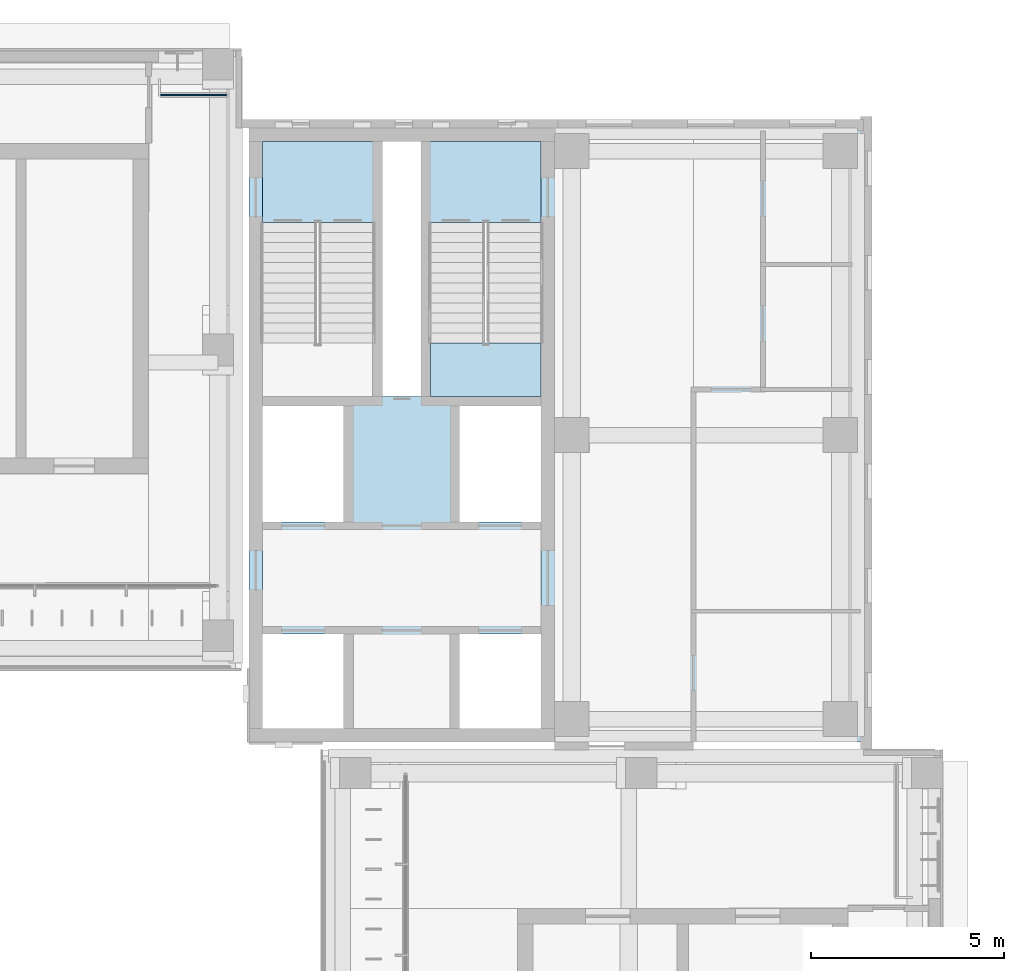
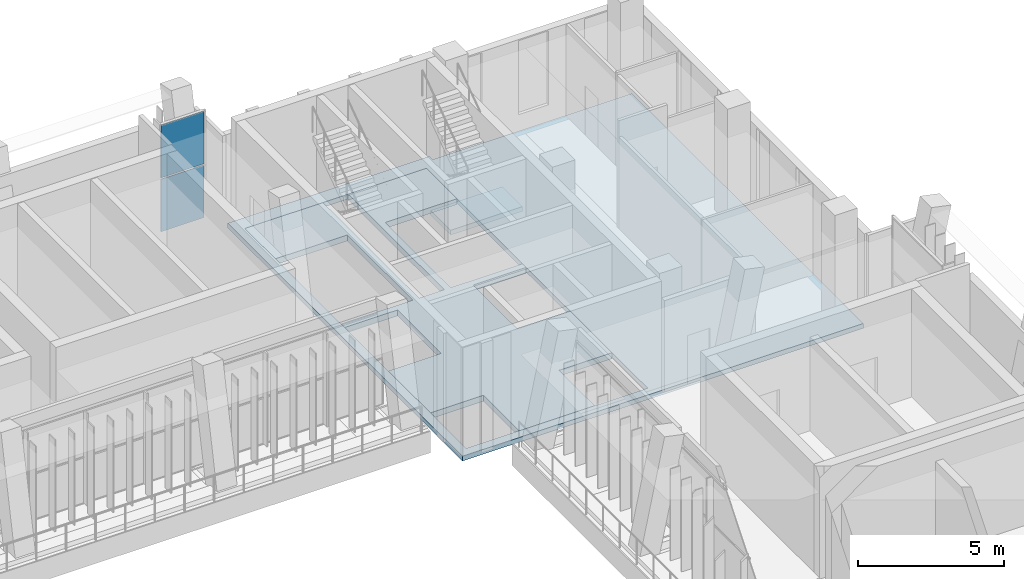
# One storey, part 94 of 141: 3 slabs, 2 plates, 2 elements without a shape of their own.
"""IFC4 building model written with IfcOpenShell, lengths in metres."""

from ifc_helpers import new_model, si_unit, direction, frame, origin, origin_2d, place, context, subcontext, project, spatial, polyline, rectangle, outline, extrude, material, layer, layer_set, type_object, element, aggregate, save


model = new_model("IFC4")

# Units and contexts
model_context = context("Model", 3, precision=1e-05, world=origin(), true_north=direction((0.0, 1.0)))
body_context = subcontext(model_context, "Body", "Model", "MODEL_VIEW")
ifc_project = project(units=[si_unit("LENGTHUNIT", "METRE"), si_unit("AREAUNIT", "SQUARE_METRE"), si_unit("VOLUMEUNIT", "CUBIC_METRE"), si_unit("PLANEANGLEUNIT", "RADIAN"), si_unit("MASSUNIT", "GRAM", prefix="KILO")], contexts=[model_context])

# Site, building, storey
site_placement = place(None, origin())
site = spatial("IfcSite", under=ifc_project, at=site_placement, CompositionType="ELEMENT")
building_placement = place(site_placement, origin())
building = spatial("IfcBuilding", under=site, at=building_placement, Name="Lantern Court Media Centre", CompositionType="ELEMENT")
storey_placement = place(building_placement, frame((0.0, 0.0, 9.60009765625)))
storey = spatial("IfcBuildingStorey", under=building, at=storey_placement, Name="L02", CompositionType="ELEMENT", Elevation=9.60009765625)

# Slab
ifc_material_1 = material(Name="Concrete C40", Category="concrete")
ifc_layer_1 = layer(ifc_material_1, 0.25)
ifc_layer_set_1 = layer_set([ifc_layer_1], Name="Concrete C40")
slab_type_1 = type_object("IfcSlabType", Name="Core floor slab 250", PredefinedType="FLOOR", material=ifc_layer_set_1)
slab_1_placement = place(storey_placement, frame((0.0, 0.0, -0.25)))
element("IfcSlab", 1, at=slab_1_placement, inside=storey, type_object=slab_type_1, Name="L02 NE core floor", PredefinedType="FLOOR", context=body_context, shape_type="SweptSolid", body=[
    extrude(outline(polyline([(87.64990234375, 101.800048828125), (87.64990234375, 98.89990234375), (85.550048828125, 98.89990234375), (85.550048828125, 96.449951171875), (82.550048828125, 96.449951171875), (82.550048828125, 98.89990234375), (80.449951171875, 98.89990234375), (80.449951171875, 101.800048828125), (82.550048828125, 101.800048828125), (82.550048828125, 104.800048828125), (80.449951171875, 104.800048828125), (80.449951171875, 105.05029296875), (83.299560546875, 105.05029296875), (83.299560546875, 109.549560546875), (80.449951171875, 109.549560546875), (80.449951171875, 111.64990234375), (83.550048828125, 111.64990234375), (83.550048828125, 105.050048828125), (84.550048828125, 105.050048828125), (84.550048828125, 111.64990234375), (87.64990234375, 111.64990234375), (87.64990234375, 109.549560546875), (84.80029296875, 109.549560546875), (84.80029296875, 105.05029296875), (87.64990234375, 105.05029296875), (87.64990234375, 104.800048828125), (85.550048828125, 104.800048828125), (85.550048828125, 101.800048828125), (87.64990234375, 101.800048828125)])), origin(), (0.0, 0.0, 1.0), 0.25),
])

# Curtain wall, plates
ifc_material_2 = material(Name="Curtain wall bay 3000")
curtain_wall_type = type_object("IfcCurtainWallType", Name="Curtain wall bay 3000", PredefinedType="NOTDEFINED", material=ifc_material_2)
curtain_wall_placement = place(storey_placement, origin())
curtain_wall = element("IfcCurtainWall", 2, at=curtain_wall_placement, inside=storey, type_object=curtain_wall_type, Name="Curtain wall N outer L02", PredefinedType="NOTDEFINED")
ifc_material_3 = material(Name="Low-iron double glazed unit glass", Category="glass")
ifc_layer_2 = layer(ifc_material_3, 0.028076171875)
ifc_layer_set_2 = layer_set([ifc_layer_2], Name="Low-iron double glazed unit glass")
plate_type = type_object("IfcPlateType", Name="Curtain wall glazing unit 28", PredefinedType="CURTAIN_PANEL", material=ifc_layer_set_2)
plate_1_placement = place(storey_placement, frame((78.6650390625, 112.85009765625, 0.06005859375), z_axis=(0.0, 0.0, 1.0), x_axis=(1.0, 0.0, 0.0)))
plate_1 = element("IfcPlate", 3, at=plate_1_placement, type_object=plate_type, Name="CW1 panel 1.1", PredefinedType="CURTAIN_PANEL", context=body_context, shape_type="SweptSolid", body=[
    extrude(rectangle(XDim=1.7099609375, YDim=0.028076171875, at=origin_2d()), origin(), (0.0, 0.0, 1.0), 2.199951171875),
])
plate_2_placement = place(storey_placement, frame((78.6650390625, 112.85009765625, 2.31982421875), z_axis=(0.0, 0.0, 1.0), x_axis=(1.0, 0.0, 0.0)))
plate_2 = element("IfcPlate", 4, at=plate_2_placement, type_object=plate_type, Name="CW1 panel 1.2", PredefinedType="CURTAIN_PANEL", context=body_context, shape_type="SweptSolid", body=[
    extrude(rectangle(XDim=1.7099609375, YDim=0.028076171875, at=origin_2d()), origin(), (0.0, 0.0, 1.0), 2.199951171875),
])
aggregate(curtain_wall, [plate_1, plate_2])

# Slab
ifc_material_4 = material(Name="Concrete C35", Category="concrete")
ifc_layer_3 = layer(ifc_material_4, 0.199951171875)
ifc_layer_set_3 = layer_set([ifc_layer_3], Name="Concrete C35")
slab_type_2 = type_object("IfcSlabType", Name="RC FLOOR SLAB 200", PredefinedType="FLOOR", material=ifc_layer_set_3)
slab_2_placement = place(storey_placement, frame((0.0, 0.0, -0.2001953125)))
element("IfcSlab", 5, at=slab_2_placement, inside=storey, type_object=slab_type_2, Name="SL-NE-L02", PredefinedType="FLOOR", context=body_context, shape_type="SweptSolid", body=[
    extrude(outline(polyline([(80.10009765625, 112.0), (80.10009765625, 112.219970703125), (88.10009765625, 112.219970703125), (88.10009765625, 112.0), (96.0, 112.0), (96.0, 96.10009765625), (80.10009765625, 96.10009765625), (80.10009765625, 112.0)]), holes=[polyline([(80.449951171875, 111.64990234375), (80.449951171875, 96.449951171875), (87.64990234375, 96.449951171875), (87.64990234375, 111.64990234375), (80.449951171875, 111.64990234375)])]), origin(), (0.0, 0.0, 1.0), 0.2001953125),
])

# Stair, slab
stair_type = type_object("IfcStairType", Name="Exit stair 1350", PredefinedType="HALF_TURN_STAIR", material=ifc_material_1)
stair_placement = place(storey_placement, origin())
stair = element("IfcStair", 6, at=stair_placement, inside=storey, type_object=stair_type, Name="L02 NE exit stair A", PredefinedType="HALF_TURN_STAIR")
ifc_layer_4 = layer(ifc_material_1, 0.199951171875)
ifc_layer_set_4 = layer_set([ifc_layer_4], Name="Concrete C40")
slab_type_3 = type_object("IfcSlabType", Name="Stair landing RC 200", PredefinedType="LANDING", material=ifc_layer_set_4)
slab_3_placement = place(storey_placement, frame((0.0, 0.0, 2.199951171875)))
slab_3 = element("IfcSlab", 7, at=slab_3_placement, type_object=slab_type_3, Name="ST-NEA landing 1", PredefinedType="LANDING", context=body_context, shape_type="SweptSolid", body=[
    extrude(outline(polyline([(84.800048828125, 106.429931640625), (84.800048828125, 105.050048828125), (87.64990234375, 105.050048828125), (87.64990234375, 106.429931640625), (84.800048828125, 106.429931640625)])), origin(), (0.0, 0.0, 1.0), 0.199951171875),
])
aggregate(stair, [slab_3])

save(model, "model.ifc")
